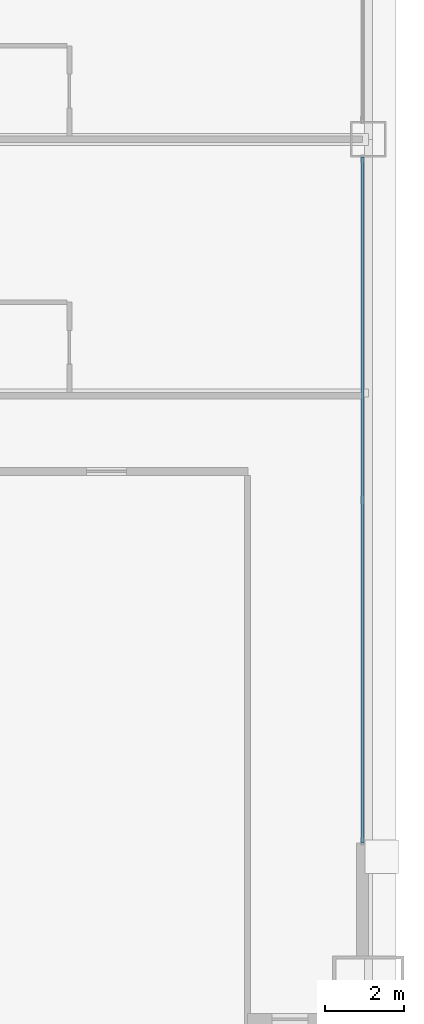
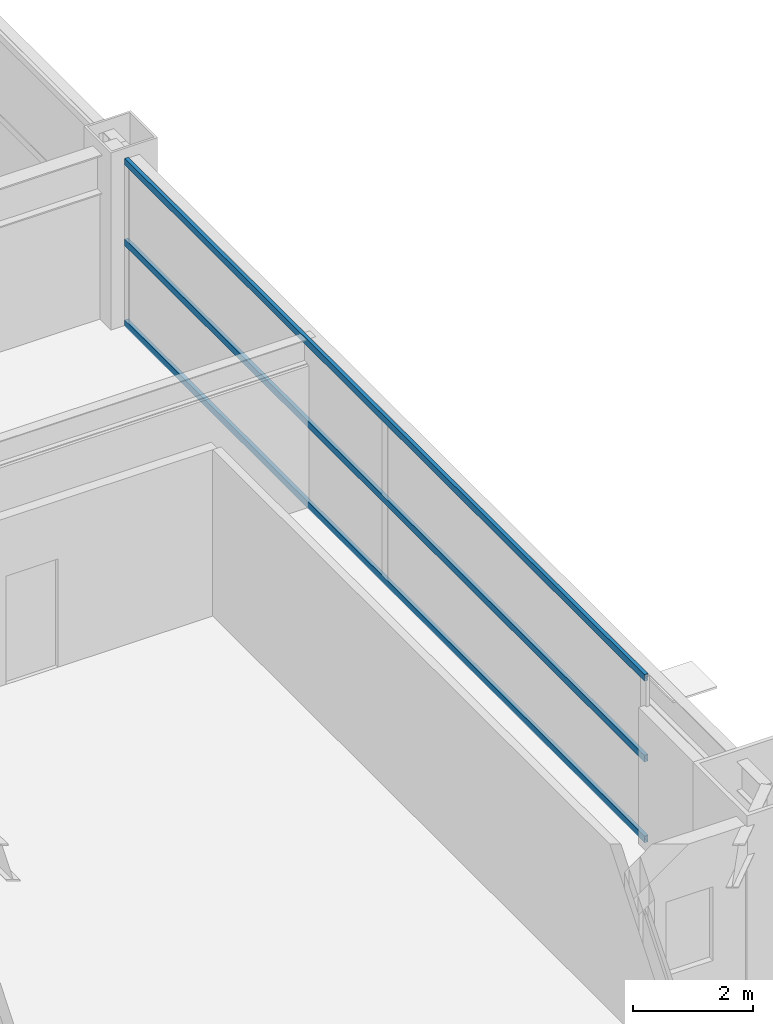
# One storey, part 21 of 45: 3 members, 1 element without a shape of its own.
"""IFC4 building model written with IfcOpenShell, lengths in metres."""

from ifc_helpers import new_model, si_unit, direction, frame, origin, origin_2d, place, context, subcontext, project, spatial, hollow_rectangle, extrude, source, transform, mapped, material, layer, layer_set, material_profile, profile_set, type_object, element, aggregate, save


model = new_model("IFC4")

# Units and contexts
model_context = context("Model", 3, precision=1e-05, world=origin(), true_north=direction((0.0, 1.0)))
body_context = subcontext(model_context, "Body", "Model", "MODEL_VIEW")
ifc_project = project(units=[si_unit("LENGTHUNIT", "METRE"), si_unit("AREAUNIT", "SQUARE_METRE"), si_unit("VOLUMEUNIT", "CUBIC_METRE"), si_unit("PLANEANGLEUNIT", "RADIAN"), si_unit("MASSUNIT", "GRAM", prefix="KILO"), si_unit("THERMODYNAMICTEMPERATUREUNIT", "KELVIN"), si_unit("POWERUNIT", "WATT")], contexts=[model_context])

# Site, building, storey
site_placement = place(None, origin())
site = spatial("IfcSite", under=ifc_project, at=site_placement, CompositionType="ELEMENT")
building_placement = place(site_placement, origin())
building = spatial("IfcBuilding", under=site, at=building_placement, Name="Yuzanri Waterfront Tower", CompositionType="ELEMENT")
storey_placement = place(building_placement, frame((0.0, 0.0, 49.60009765625)))
storey = spatial("IfcBuildingStorey", under=building, at=storey_placement, Name="L12", CompositionType="ELEMENT", Elevation=49.60009765625)

# Curtain wall, members
ifc_material_1 = material(Name="Anodized Architectural Bronze", Category="metal")
ifc_layer = layer(ifc_material_1, 0.159912109375)
ifc_layer_set = layer_set([ifc_layer], Name="Anodized Architectural Bronze")
curtain_wall_type = type_object("IfcCurtainWallType", Name="Anodized Bronze Hotel Lower-Tier Recessed Unitized Curtain Wall 8100", PredefinedType="NOTDEFINED", material=ifc_layer_set)
curtain_wall_placement = place(storey_placement, origin())
curtain_wall = element("IfcCurtainWall", 1, at=curtain_wall_placement, inside=storey, type_object=curtain_wall_type, Name="L12 Curtain Wall CW-L12-EL", PredefinedType="NOTDEFINED")
ifc_material_2 = material(Name="Anodized Architectural Bronze", Category="metal")
ifc_material_profile = material_profile(ifc_material_2, hollow_rectangle(XDim=0.070068359375, YDim=0.135009765625, WallThickness=0.00341796875, at=origin_2d()), Name="CWT 70x135")
ifc_profile_set = profile_set([ifc_material_profile], Name="Anodized Architectural Bronze")
member_type = type_object("IfcMemberType", Name="Anodized Bronze Standard Curtain-Wall Transom 70x135", PredefinedType="USERDEFINED", material=ifc_profile_set)
shared_shape = source(origin(), body_context, "Body", "SweptSolid", [
    extrude(hollow_rectangle(XDim=0.070068359375, YDim=0.135009765625, WallThickness=0.00341796875, at=origin_2d()), origin(), (0.0, 0.0, 1.0), 17.300048828125),
])
member_1_placement = place(storey_placement, frame((61.949951171875, 8.050048828125, 0.0498046875), z_axis=(0.0, 1.0, 0.0), x_axis=(-1.0, 0.0, 0.0)))
member_1 = element("IfcMember", 2, at=member_1_placement, type_object=member_type, Name="CW-L12-EL Transom 1", ObjectType="TRANSOM", PredefinedType="USERDEFINED", context=body_context, shape_type="MappedRepresentation", body=[
    mapped(shared_shape, transform((0.0, 0.0, 0.0), scale=1.0)),
])
member_2_placement = place(storey_placement, frame((61.949951171875, 8.050048828125, 1.68994140625), z_axis=(0.0, 1.0, 0.0), x_axis=(-1.0, 0.0, 0.0)))
member_2 = element("IfcMember", 3, at=member_2_placement, type_object=member_type, Name="CW-L12-EL Transom 2", ObjectType="TRANSOM", PredefinedType="USERDEFINED", context=body_context, shape_type="MappedRepresentation", body=[
    mapped(shared_shape, transform((0.0, 0.0, 0.0), scale=1.0)),
])
member_3_placement = place(storey_placement, frame((61.949951171875, 8.050048828125, 3.329833984375), z_axis=(0.0, 1.0, 0.0), x_axis=(-1.0, 0.0, 0.0)))
member_3 = element("IfcMember", 4, at=member_3_placement, type_object=member_type, Name="CW-L12-EL Transom 3", ObjectType="TRANSOM", PredefinedType="USERDEFINED", context=body_context, shape_type="MappedRepresentation", body=[
    mapped(shared_shape, transform((0.0, 0.0, 0.0), scale=1.0)),
])
aggregate(curtain_wall, [member_1, member_2, member_3])

save(model, "model.ifc")
